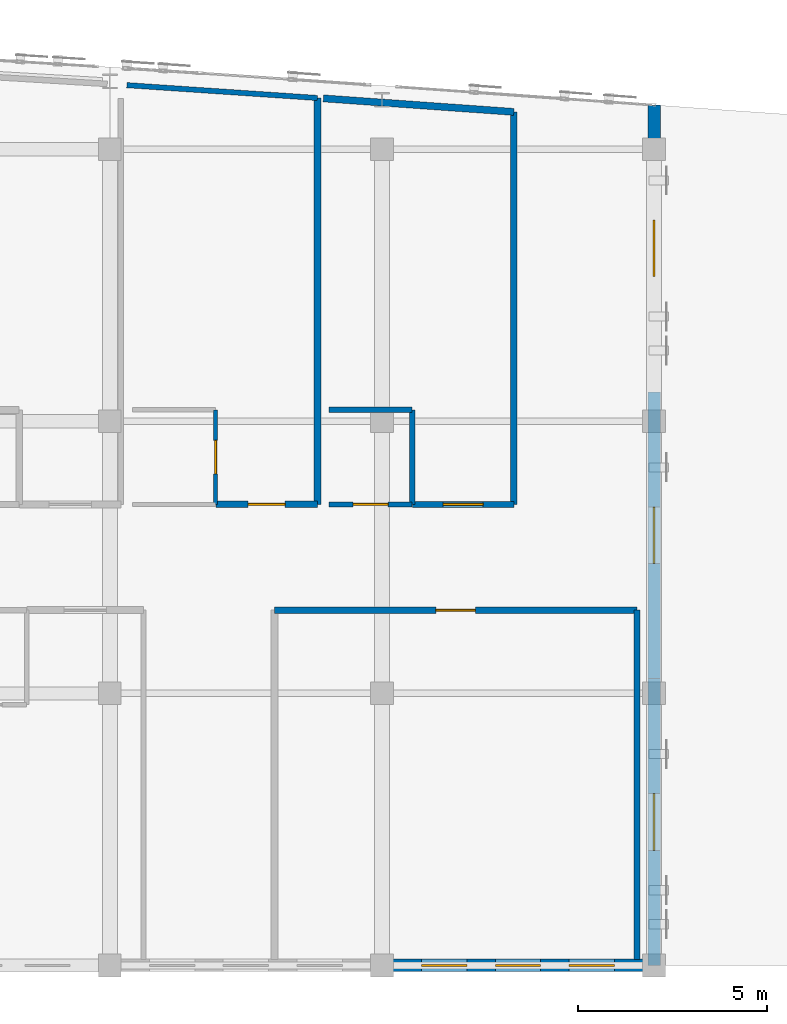
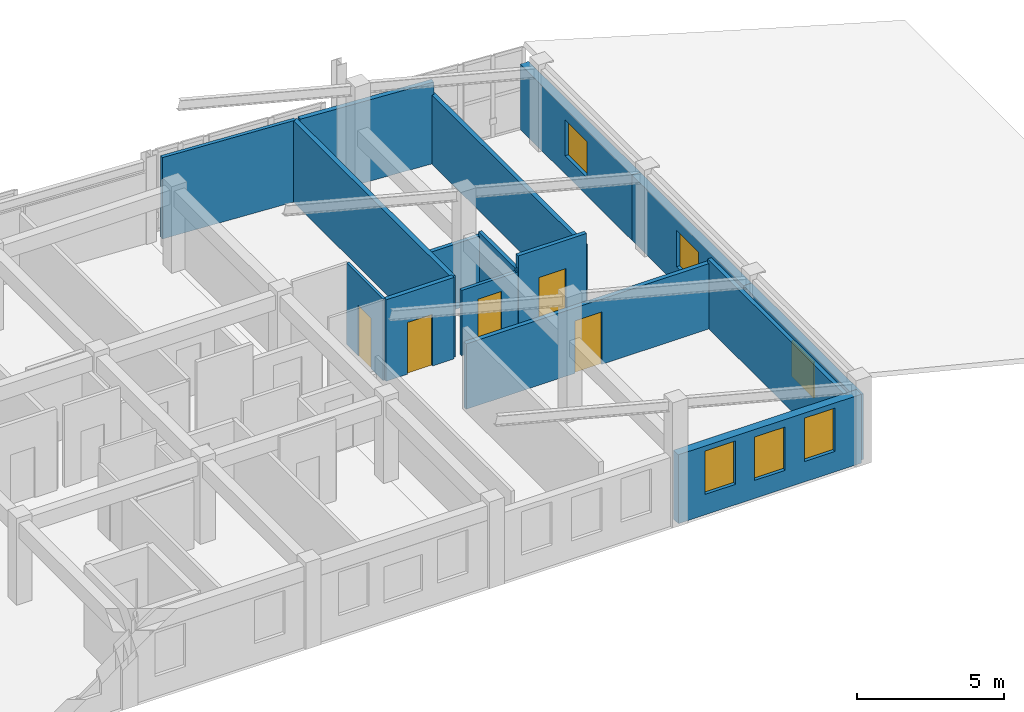
# One storey, part 37 of 41: 16 walls, 6 windows, 5 doors, 11 openings.
"""IFC4 building model written with IfcOpenShell, lengths in metres."""

from ifc_helpers import new_model, si_unit, direction, frame, frame_2d, origin, place, context, subcontext, project, spatial, rectangle, extrude, material, layer, layer_set, type_object, element, fill, save


model = new_model("IFC4")

# Units and contexts
model_context = context("Model", 3, precision=1e-05, world=origin(), true_north=direction((0.0, 1.0)))
body_context = subcontext(model_context, "Body", "Model", "MODEL_VIEW")
ifc_project = project(units=[si_unit("LENGTHUNIT", "METRE"), si_unit("AREAUNIT", "SQUARE_METRE"), si_unit("VOLUMEUNIT", "CUBIC_METRE"), si_unit("PLANEANGLEUNIT", "RADIAN"), si_unit("MASSUNIT", "GRAM", prefix="KILO")], contexts=[model_context])

# Site, building, storey
site_placement = place(None, origin())
site = spatial("IfcSite", under=ifc_project, at=site_placement, CompositionType="ELEMENT")
building_placement = place(site_placement, origin())
building = spatial("IfcBuilding", under=site, at=building_placement, Name="Carrowvane Square Congress Hotel", CompositionType="ELEMENT")
storey_placement = place(building_placement, frame((0.0, 0.0, 37.199951171875)))
storey = spatial("IfcBuildingStorey", under=building, at=storey_placement, Name="L09", CompositionType="ELEMENT", Elevation=37.199951171875)

# Wall, opening, window
ifc_material_1 = material(Name="Glazed terracotta rainscreen", Category="masonry")
ifc_layer_1 = layer(ifc_material_1, 0.330078125)
ifc_layer_set_1 = layer_set([ifc_layer_1], Name="Glazed terracotta rainscreen")
wall_type_1 = type_object("IfcWallType", Name="WL-EXT-TC330", PredefinedType="STANDARD", material=ifc_layer_set_1)
wall_1_placement = place(storey_placement, frame((141.199951171875, 114.5712890625, 0.0), z_axis=(0.0, 0.0, 1.0), x_axis=(0.0, -1.0, 0.0)))
wall_1 = element("IfcWall", 1, at=wall_1_placement, inside=storey, type_object=wall_type_1, Name="L09 exterior facade wall 562", PredefinedType="STANDARD", context=body_context, shape_type="SweptSolid", body=[
    extrude(rectangle(XDim=7.59033203125, YDim=0.330078125, at=frame_2d((3.795166015625, 0.0))), origin(), (0.0, 0.0, 1.0), 2.715087890625),
])
opening_1_placement = place(wall_1_placement, frame((3.045166015625, 0.0, 0.75)))
opening_1 = element("IfcOpeningElement", 2, at=opening_1_placement, cuts=wall_1, Name="Opening W-15", PredefinedType="OPENING", context=body_context, shape_type="SweptSolid", body=[
    extrude(rectangle(XDim=1.5, YDim=1.5, at=frame_2d((0.75, 0.75))), frame((0.0, 0.175048828125, 0.0), z_axis=(0.0, -1.0, 0.0), x_axis=(1.0, 0.0, 0.0)), (0.0, 0.0, 1.0), 0.35009765625),
])
ifc_material_2 = material(Name="Double-glazed low-E glass", Category="glass")
window_type_1 = type_object("IfcWindowType", Name="WIN-15", PartitioningType="SINGLE_PANEL", PredefinedType="WINDOW", material=ifc_material_2)
window_1_placement = place(opening_1_placement, origin())
window_1 = element("IfcWindow", 3, at=window_1_placement, inside=storey, type_object=window_type_1, Name="L09 facade window 408", OverallHeight=1.5, OverallWidth=1.5, PartitioningType="SINGLE_PANEL", PredefinedType="WINDOW", context=body_context, shape_type="SweptSolid", body=[
    extrude(rectangle(XDim=1.5, YDim=1.5, at=frame_2d((0.75, 0.75))), frame((0.0, 0.030029296875, 0.0), z_axis=(0.0, -1.0, 0.0), x_axis=(1.0, 0.0, 0.0)), (0.0, 0.0, 1.0), 0.06005859375),
])
fill(opening_1, window_1)

wall_2_placement = place(storey_placement, frame((141.199951171875, 106.98095703125, 0.0), z_axis=(0.0, 0.0, 1.0), x_axis=(0.0, -1.0, 0.0)))
wall_2 = element("IfcWall", 4, at=wall_2_placement, inside=storey, type_object=wall_type_1, Name="L09 exterior facade wall 563", PredefinedType="STANDARD", context=body_context, shape_type="SweptSolid", body=[
    extrude(rectangle(XDim=7.590576171875, YDim=0.330078125, at=frame_2d((3.79541015625, 0.0))), origin(), (0.0, 0.0, 1.0), 2.715087890625),
])
opening_2_placement = place(wall_2_placement, frame((3.045166015625, 0.0, 0.75)))
opening_2 = element("IfcOpeningElement", 5, at=opening_2_placement, cuts=wall_2, Name="Opening W-15", PredefinedType="OPENING", context=body_context, shape_type="SweptSolid", body=[
    extrude(rectangle(XDim=1.5, YDim=1.5, at=frame_2d((0.75, 0.75))), frame((0.0, 0.175048828125, 0.0), z_axis=(0.0, -1.0, 0.0), x_axis=(1.0, 0.0, 0.0)), (0.0, 0.0, 1.0), 0.35009765625),
])
window_2_placement = place(opening_2_placement, origin())
window_2 = element("IfcWindow", 6, at=window_2_placement, inside=storey, type_object=window_type_1, Name="L09 facade window 409", OverallHeight=1.5, OverallWidth=1.5, PartitioningType="SINGLE_PANEL", PredefinedType="WINDOW", context=body_context, shape_type="SweptSolid", body=[
    extrude(rectangle(XDim=1.5, YDim=1.5, at=frame_2d((0.75, 0.75))), frame((0.0, 0.030029296875, 0.0), z_axis=(0.0, -1.0, 0.0), x_axis=(1.0, 0.0, 0.0)), (0.0, 0.0, 1.0), 0.06005859375),
])
fill(opening_2, window_2)

wall_3_placement = place(storey_placement, frame((141.199951171875, 99.390380859375, 0.0), z_axis=(0.0, 0.0, 1.0), x_axis=(0.0, -1.0, 0.0)))
wall_3 = element("IfcWall", 7, at=wall_3_placement, inside=storey, type_object=wall_type_1, Name="L09 exterior facade wall 564", PredefinedType="STANDARD", context=body_context, shape_type="SweptSolid", body=[
    extrude(rectangle(XDim=7.59033203125, YDim=0.330078125, at=frame_2d((3.795166015625, 0.0))), origin(), (0.0, 0.0, 1.0), 2.715087890625),
])
opening_3_placement = place(wall_3_placement, frame((3.045166015625, 0.0, 0.75)))
opening_3 = element("IfcOpeningElement", 8, at=opening_3_placement, cuts=wall_3, Name="Opening W-15", PredefinedType="OPENING", context=body_context, shape_type="SweptSolid", body=[
    extrude(rectangle(XDim=1.5, YDim=1.5, at=frame_2d((0.75, 0.75))), frame((0.0, 0.175048828125, 0.0), z_axis=(0.0, -1.0, 0.0), x_axis=(1.0, 0.0, 0.0)), (0.0, 0.0, 1.0), 0.35009765625),
])
window_3_placement = place(opening_3_placement, origin())
window_3 = element("IfcWindow", 9, at=window_3_placement, inside=storey, type_object=window_type_1, Name="L09 facade window 410", OverallHeight=1.5, OverallWidth=1.5, PartitioningType="SINGLE_PANEL", PredefinedType="WINDOW", context=body_context, shape_type="SweptSolid", body=[
    extrude(rectangle(XDim=1.5, YDim=1.5, at=frame_2d((0.75, 0.75))), frame((0.0, 0.030029296875, 0.0), z_axis=(0.0, -1.0, 0.0), x_axis=(1.0, 0.0, 0.0)), (0.0, 0.0, 1.0), 0.06005859375),
])
fill(opening_3, window_3)

# Wall, openings, windows
wall_4_placement = place(storey_placement, frame((141.199951171875, 91.800048828125, 0.0), z_axis=(0.0, 0.0, 1.0), x_axis=(-1.0, 0.0, 0.0)))
wall_4 = element("IfcWall", 10, at=wall_4_placement, inside=storey, type_object=wall_type_1, Name="L09 exterior facade wall 565", PredefinedType="STANDARD", context=body_context, shape_type="SweptSolid", body=[
    extrude(rectangle(XDim=7.199951171875, YDim=0.330078125, at=frame_2d((3.60009765625, 0.0))), origin(), (0.0, 0.0, 1.0), 2.8603515625),
])
opening_4_placement = place(wall_4_placement, frame((3.0, 0.0, 0.75)))
opening_4 = element("IfcOpeningElement", 11, at=opening_4_placement, cuts=wall_4, Name="Opening W-01", PredefinedType="OPENING", context=body_context, shape_type="SweptSolid", body=[
    extrude(rectangle(XDim=1.199951171875, YDim=1.800048828125, at=frame_2d((0.60009765625, 0.89990234375))), frame((0.0, 0.175048828125, 0.0), z_axis=(0.0, -1.0, 0.0), x_axis=(1.0, 0.0, 0.0)), (0.0, 0.0, 1.0), 0.35009765625),
])
opening_5_placement = place(wall_4_placement, frame((1.050048828125, 0.0, 0.85009765625)))
opening_5 = element("IfcOpeningElement", 12, at=opening_5_placement, cuts=wall_4, Name="Opening W-01", PredefinedType="OPENING", context=body_context, shape_type="SweptSolid", body=[
    extrude(rectangle(XDim=1.199951171875, YDim=1.800048828125, at=frame_2d((0.60009765625, 0.89990234375))), frame((0.0, 0.175048828125, 0.0), z_axis=(0.0, -1.0, 0.0), x_axis=(1.0, 0.0, 0.0)), (0.0, 0.0, 1.0), 0.35009765625),
])
opening_6_placement = place(wall_4_placement, frame((4.949951171875, 0.0, 0.85009765625)))
opening_6 = element("IfcOpeningElement", 13, at=opening_6_placement, cuts=wall_4, Name="Opening W-01", PredefinedType="OPENING", context=body_context, shape_type="SweptSolid", body=[
    extrude(rectangle(XDim=1.199951171875, YDim=1.800048828125, at=frame_2d((0.60009765625, 0.89990234375))), frame((0.0, 0.175048828125, 0.0), z_axis=(0.0, -1.0, 0.0), x_axis=(1.0, 0.0, 0.0)), (0.0, 0.0, 1.0), 0.35009765625),
])
ifc_material_3 = material(Name="Double-glazed low-E glass", Category="glass")
window_type_2 = type_object("IfcWindowType", Name="WIN-01", PartitioningType="SINGLE_PANEL", PredefinedType="WINDOW", material=ifc_material_3)
window_4_placement = place(opening_4_placement, origin())
window_4 = element("IfcWindow", 14, at=window_4_placement, inside=storey, type_object=window_type_2, Name="L09 facade window 411", OverallHeight=1.800048828125, OverallWidth=1.199951171875, PartitioningType="SINGLE_PANEL", PredefinedType="WINDOW", context=body_context, shape_type="SweptSolid", body=[
    extrude(rectangle(XDim=1.199951171875, YDim=1.800048828125, at=frame_2d((0.60009765625, 0.89990234375))), frame((0.0, 0.030029296875, 0.0), z_axis=(0.0, -1.0, 0.0), x_axis=(1.0, 0.0, 0.0)), (0.0, 0.0, 1.0), 0.06005859375),
])
fill(opening_4, window_4)
window_5_placement = place(opening_5_placement, origin())
window_5 = element("IfcWindow", 15, at=window_5_placement, inside=storey, type_object=window_type_2, Name="L09 guest bedroom window 412", OverallHeight=1.800048828125, OverallWidth=1.199951171875, PartitioningType="SINGLE_PANEL", PredefinedType="WINDOW", context=body_context, shape_type="SweptSolid", body=[
    extrude(rectangle(XDim=1.199951171875, YDim=1.800048828125, at=frame_2d((0.60009765625, 0.89990234375))), frame((0.0, 0.030029296875, 0.0), z_axis=(0.0, -1.0, 0.0), x_axis=(1.0, 0.0, 0.0)), (0.0, 0.0, 1.0), 0.06005859375),
])
fill(opening_5, window_5)
window_6_placement = place(opening_6_placement, origin())
window_6 = element("IfcWindow", 16, at=window_6_placement, inside=storey, type_object=window_type_2, Name="L09 guest bedroom window 413", OverallHeight=1.800048828125, OverallWidth=1.199951171875, PartitioningType="SINGLE_PANEL", PredefinedType="WINDOW", context=body_context, shape_type="SweptSolid", body=[
    extrude(rectangle(XDim=1.199951171875, YDim=1.800048828125, at=frame_2d((0.60009765625, 0.89990234375))), frame((0.0, 0.030029296875, 0.0), z_axis=(0.0, -1.0, 0.0), x_axis=(1.0, 0.0, 0.0)), (0.0, 0.0, 1.0), 0.06005859375),
])
fill(opening_6, window_6)

# Wall
ifc_material_4 = material(Name="Acoustic gypsum board", Category="gypsum")
ifc_layer_2 = layer(ifc_material_4, 0.155029296875)
ifc_layer_set_2 = layer_set([ifc_layer_2], Name="Acoustic gypsum board")
wall_type_2 = type_object("IfcWallType", Name="WL-FIR-155", PredefinedType="PARTITIONING", material=ifc_layer_set_2)
wall_5_placement = place(storey_placement, frame((140.75, 101.199951171875, 0.0), z_axis=(0.0, 0.0, 1.0), x_axis=(0.0, -1.0, 0.0)))
element("IfcWall", 17, at=wall_5_placement, inside=storey, type_object=wall_type_2, Name="L09 L09 East Terrace Bar partition", PredefinedType="PARTITIONING", context=body_context, shape_type="SweptSolid", body=[
    extrude(rectangle(XDim=9.239990234375, YDim=0.155029296875, at=frame_2d((4.6201171875, 0.0))), origin(), (0.0, 0.0, 1.0), 2.8603515625),
])

# Wall, opening, door
wall_6_placement = place(storey_placement, frame((137.489990234375, 104.0, 0.0), z_axis=(0.0, 0.0, 1.0), x_axis=(-1.0, 0.0, 0.0)))
wall_6 = element("IfcWall", 18, at=wall_6_placement, inside=storey, type_object=wall_type_2, Name="L09 Parkview Guest Bedroom 0923 partition", PredefinedType="PARTITIONING", context=body_context, shape_type="SweptSolid", body=[
    extrude(rectangle(XDim=2.679931640625, YDim=0.155029296875, at=frame_2d((1.33984375, 0.0))), origin(), (0.0, 0.0, 1.0), 3.380126953125),
])
opening_7_placement = place(wall_6_placement, frame((0.81005859375, 0.0, 0.0)))
opening_7 = element("IfcOpeningElement", 19, at=opening_7_placement, cuts=wall_6, Name="Opening FD-09", PredefinedType="OPENING", context=body_context, shape_type="SweptSolid", body=[
    extrude(rectangle(XDim=1.06005859375, YDim=2.199951171875, at=frame_2d((0.530029296875, 1.10009765625))), frame((0.0, 0.08740234375, 0.0), z_axis=(0.0, -1.0, 0.0), x_axis=(1.0, 0.0, 0.0)), (0.0, 0.0, 1.0), 0.175048828125),
])
ifc_material_5 = material(Name="European oak timber", Category="wood")
door_type_1 = type_object("IfcDoorType", Name="DR-FD30-1060x2200", OperationType="NOTDEFINED", PredefinedType="DOOR", material=ifc_material_5)
door_1_placement = place(opening_7_placement, origin())
door_1 = element("IfcDoor", 20, at=door_1_placement, inside=storey, type_object=door_type_1, Name="L09 Parkview Guest Bedroom 0923 entrance door", OperationType="SINGLE_SWING_RIGHT", OverallHeight=2.199951171875, OverallWidth=1.06005859375, PredefinedType="DOOR", context=body_context, shape_type="SweptSolid", body=[
    extrude(rectangle(XDim=1.06005859375, YDim=2.199951171875, at=frame_2d((0.530029296875, 1.10009765625))), frame((0.0, 0.02490234375, 0.0), z_axis=(0.0, -1.0, 0.0), x_axis=(1.0, 0.0, 0.0)), (0.0, 0.0, 1.0), 0.050048828125),
])
fill(opening_7, door_1)

ifc_material_6 = material(Name="Acoustic gypsum board", Category="gypsum")
ifc_layer_3 = layer(ifc_material_6, 0.169921875)
ifc_layer_set_3 = layer_set([ifc_layer_3], Name="Acoustic gypsum board")
wall_type_3 = type_object("IfcWallType", Name="WL-FIR-170", PredefinedType="PARTITIONING", material=ifc_layer_set_3)
wall_7_placement = place(storey_placement, frame((131.14990234375, 101.199951171875, 0.0), z_axis=(0.0, 0.0, 1.0), x_axis=(1.0, 0.0, 0.0)))
wall_7 = element("IfcWall", 21, at=wall_7_placement, inside=storey, type_object=wall_type_3, Name="L09 L09 East Terrace Bar partition", PredefinedType="PARTITIONING", context=body_context, shape_type="SweptSolid", body=[
    extrude(rectangle(XDim=9.60009765625, YDim=0.169921875, at=frame_2d((4.800048828125, 0.0))), origin(), (0.0, 0.0, 1.0), 2.715087890625),
])
opening_8_placement = place(wall_7_placement, frame((4.27490234375, 0.0, 0.0)))
opening_8 = element("IfcOpeningElement", 22, at=opening_8_placement, cuts=wall_7, Name="Opening ID-21", PredefinedType="OPENING", context=body_context, shape_type="SweptSolid", body=[
    extrude(rectangle(XDim=1.050048828125, YDim=2.179931640625, at=frame_2d((0.52490234375, 1.08984375))), frame((0.0, 0.094970703125, 0.0), z_axis=(0.0, -1.0, 0.0), x_axis=(1.0, 0.0, 0.0)), (0.0, 0.0, 1.0), 0.18994140625),
])
ifc_material_7 = material(Name="European oak timber", Category="wood")
door_type_2 = type_object("IfcDoorType", Name="DR-INT-1050x2180", OperationType="NOTDEFINED", PredefinedType="DOOR", material=ifc_material_7)
door_2_placement = place(opening_8_placement, origin())
door_2 = element("IfcDoor", 23, at=door_2_placement, inside=storey, type_object=door_type_2, Name="L09 L09 East Terrace Bar entrance door", OperationType="SINGLE_SWING_RIGHT", OverallHeight=2.179931640625, OverallWidth=1.050048828125, PredefinedType="DOOR", context=body_context, shape_type="SweptSolid", body=[
    extrude(rectangle(XDim=1.050048828125, YDim=2.179931640625, at=frame_2d((0.52490234375, 1.08984375))), frame((0.0, 0.02490234375, 0.0), z_axis=(0.0, -1.0, 0.0), x_axis=(1.0, 0.0, 0.0)), (0.0, 0.0, 1.0), 0.050048828125),
])
fill(opening_8, door_2)

wall_8_placement = place(storey_placement, frame((132.2900390625, 104.0, 0.0), z_axis=(0.0, 0.0, 1.0), x_axis=(-1.0, 0.0, 0.0)))
wall_8 = element("IfcWall", 24, at=wall_8_placement, inside=storey, type_object=wall_type_3, Name="L09 Parkview Guest Bedroom 0922 partition", PredefinedType="PARTITIONING", context=body_context, shape_type="SweptSolid", body=[
    extrude(rectangle(XDim=2.679931640625, YDim=0.169921875, at=frame_2d((1.33984375, 0.0))), origin(), (0.0, 0.0, 1.0), 3.380126953125),
])
opening_9_placement = place(wall_8_placement, frame((0.85009765625, 0.0, 0.0)))
opening_9 = element("IfcOpeningElement", 25, at=opening_9_placement, cuts=wall_8, Name="Opening FD-07", PredefinedType="OPENING", context=body_context, shape_type="SweptSolid", body=[
    extrude(rectangle(XDim=0.97998046875, YDim=2.14990234375, at=frame_2d((0.489990234375, 1.074951171875))), frame((0.0, 0.094970703125, 0.0), z_axis=(0.0, -1.0, 0.0), x_axis=(1.0, 0.0, 0.0)), (0.0, 0.0, 1.0), 0.18994140625),
])
ifc_material_8 = material(Name="European oak timber", Category="wood")
door_type_3 = type_object("IfcDoorType", Name="DR-FD30-0980x2150", OperationType="NOTDEFINED", PredefinedType="DOOR", material=ifc_material_8)
door_3_placement = place(opening_9_placement, origin())
door_3 = element("IfcDoor", 26, at=door_3_placement, inside=storey, type_object=door_type_3, Name="L09 Parkview Guest Bedroom 0922 entrance door", OperationType="SINGLE_SWING_RIGHT", OverallHeight=2.14990234375, OverallWidth=0.97998046875, PredefinedType="DOOR", context=body_context, shape_type="SweptSolid", body=[
    extrude(rectangle(XDim=0.97998046875, YDim=2.14990234375, at=frame_2d((0.489990234375, 1.074951171875))), frame((0.0, 0.02490234375, 0.0), z_axis=(0.0, -1.0, 0.0), x_axis=(1.0, 0.0, 0.0)), (0.0, 0.0, 1.0), 0.050048828125),
])
fill(opening_9, door_3)

# Walls
wall_9_placement = place(storey_placement, frame((137.489990234375, 114.386962890625, 0.0), z_axis=(0.0, 0.0, 1.0), x_axis=(0.0, -1.0, 0.0)))
element("IfcWall", 27, at=wall_9_placement, inside=storey, type_object=wall_type_3, Name="L09 Parkview Guest Bedroom 0923 partition", PredefinedType="PARTITIONING", context=body_context, shape_type="SweptSolid", body=[
    extrude(rectangle(XDim=10.386962890625, YDim=0.169921875, at=frame_2d((5.193359375, 0.0))), origin(), (0.0, 0.0, 1.0), 2.8603515625),
])
ifc_material_9 = material(Name="Acoustic gypsum board", Category="gypsum")
ifc_layer_4 = layer(ifc_material_9, 0.18505859375)
ifc_layer_set_4 = layer_set([ifc_layer_4], Name="Acoustic gypsum board")
wall_type_4 = type_object("IfcWallType", Name="WL-FIR-185", PredefinedType="PARTITIONING", material=ifc_layer_set_4)
wall_10_placement = place(storey_placement, frame((132.2900390625, 114.75537109375, 0.0), z_axis=(0.0, 0.0, 1.0), x_axis=(0.0, -1.0, 0.0)))
element("IfcWall", 28, at=wall_10_placement, inside=storey, type_object=wall_type_4, Name="L09 Parkview Guest Bedroom 0922 partition", PredefinedType="PARTITIONING", context=body_context, shape_type="SweptSolid", body=[
    extrude(rectangle(XDim=10.75537109375, YDim=0.18505859375, at=frame_2d((5.377685546875, 0.0))), origin(), (0.0, 0.0, 1.0), 3.380126953125),
])
wall_11_placement = place(storey_placement, frame((132.449951171875, 114.744384765625, 0.0), z_axis=(0.0, 0.0, 1.0), x_axis=(0.99749487084, -0.070738834088, 0.0)))
element("IfcWall", 29, at=wall_11_placement, inside=storey, type_object=wall_type_4, Name="L09 Parkview Guest Bedroom 0923 partition", PredefinedType="PARTITIONING", context=body_context, shape_type="SweptSolid", body=[
    extrude(rectangle(XDim=5.052734375, YDim=0.18505859375, at=frame_2d((2.5263671875, 0.0))), origin(), (0.0, 0.0, 1.0), 3.380126953125),
])

# Wall, opening, door
ifc_material_10 = material(Name="Acoustic gypsum board", Category="gypsum")
ifc_layer_5 = layer(ifc_material_10, 0.10791015625)
ifc_layer_set_5 = layer_set([ifc_layer_5], Name="Acoustic gypsum board")
wall_type_5 = type_object("IfcWallType", Name="WL-PRT-108", PredefinedType="PARTITIONING", material=ifc_layer_set_5)
wall_12_placement = place(storey_placement, frame((129.60009765625, 106.5, 0.0), z_axis=(0.0, 0.0, 1.0), x_axis=(0.0, -1.0, 0.0)))
wall_12 = element("IfcWall", 30, at=wall_12_placement, inside=storey, type_object=wall_type_5, Name="L09 En-suite Bathroom 0922 partition", PredefinedType="PARTITIONING", context=body_context, shape_type="SweptSolid", body=[
    extrude(rectangle(XDim=2.5, YDim=0.10791015625, at=frame_2d((1.25, 0.0))), origin(), (0.0, 0.0, 1.0), 3.380126953125),
])
opening_10_placement = place(wall_12_placement, frame((0.804931640625, 0.0, 0.0)))
opening_10 = element("IfcOpeningElement", 31, at=opening_10_placement, cuts=wall_12, Name="Opening ID-16", PredefinedType="OPENING", context=body_context, shape_type="SweptSolid", body=[
    extrude(rectangle(XDim=0.889892578125, YDim=2.090087890625, at=frame_2d((0.44482421875, 1.044921875))), frame((0.0, 0.06396484375, 0.0), z_axis=(0.0, -1.0, 0.0), x_axis=(1.0, 0.0, 0.0)), (0.0, 0.0, 1.0), 0.1279296875),
])
ifc_material_11 = material(Name="European oak timber", Category="wood")
door_type_4 = type_object("IfcDoorType", Name="DR-INT-0890x2090", OperationType="NOTDEFINED", PredefinedType="DOOR", material=ifc_material_11)
door_4_placement = place(opening_10_placement, origin())
door_4 = element("IfcDoor", 32, at=door_4_placement, inside=storey, type_object=door_type_4, Name="L09 En-suite Bathroom 0922 door", OperationType="SINGLE_SWING_LEFT", OverallHeight=2.090087890625, OverallWidth=0.889892578125, PredefinedType="DOOR", context=body_context, shape_type="SweptSolid", body=[
    extrude(rectangle(XDim=0.889892578125, YDim=2.090087890625, at=frame_2d((0.44482421875, 1.044921875))), frame((0.0, 0.02490234375, 0.0), z_axis=(0.0, -1.0, 0.0), x_axis=(1.0, 0.0, 0.0)), (0.0, 0.0, 1.0), 0.050048828125),
])
fill(opening_10, door_4)

ifc_material_12 = material(Name="Acoustic gypsum board", Category="gypsum")
ifc_layer_6 = layer(ifc_material_12, 0.1279296875)
ifc_layer_set_6 = layer_set([ifc_layer_6], Name="Acoustic gypsum board")
wall_type_6 = type_object("IfcWallType", Name="WL-PRT-128", PredefinedType="PARTITIONING", material=ifc_layer_set_6)
wall_13_placement = place(storey_placement, frame((134.800048828125, 104.0, 0.0), z_axis=(0.0, 0.0, 1.0), x_axis=(-1.0, 0.0, 0.0)))
wall_13 = element("IfcWall", 33, at=wall_13_placement, inside=storey, type_object=wall_type_6, Name="L09 En-suite Bathroom 0923 partition", PredefinedType="PARTITIONING", context=body_context, shape_type="SweptSolid", body=[
    extrude(rectangle(XDim=2.199951171875, YDim=0.1279296875, at=frame_2d((1.10009765625, 0.0))), origin(), (0.0, 0.0, 1.0), 2.715087890625),
])
opening_11_placement = place(wall_13_placement, frame((0.635009765625, 0.0, 0.0)))
opening_11 = element("IfcOpeningElement", 34, at=opening_11_placement, cuts=wall_13, Name="Opening ID-18", PredefinedType="OPENING", context=body_context, shape_type="SweptSolid", body=[
    extrude(rectangle(XDim=0.929931640625, YDim=2.1298828125, at=frame_2d((0.46484375, 1.06494140625))), frame((0.0, 0.073974609375, 0.0), z_axis=(0.0, -1.0, 0.0), x_axis=(1.0, 0.0, 0.0)), (0.0, 0.0, 1.0), 0.14794921875),
])
ifc_material_13 = material(Name="European oak timber", Category="wood")
door_type_5 = type_object("IfcDoorType", Name="DR-INT-0930x2130", OperationType="NOTDEFINED", PredefinedType="DOOR", material=ifc_material_13)
door_5_placement = place(opening_11_placement, origin())
door_5 = element("IfcDoor", 35, at=door_5_placement, inside=storey, type_object=door_type_5, Name="L09 En-suite Bathroom 0923 door", OperationType="SINGLE_SWING_LEFT", OverallHeight=2.1298828125, OverallWidth=0.929931640625, PredefinedType="DOOR", context=body_context, shape_type="SweptSolid", body=[
    extrude(rectangle(XDim=0.929931640625, YDim=2.1298828125, at=frame_2d((0.46484375, 1.06494140625))), frame((0.0, 0.02490234375, 0.0), z_axis=(0.0, -1.0, 0.0), x_axis=(1.0, 0.0, 0.0)), (0.0, 0.0, 1.0), 0.050048828125),
])
fill(opening_11, door_5)

# Walls
ifc_material_14 = material(Name="Acoustic gypsum board", Category="gypsum")
ifc_layer_7 = layer(ifc_material_14, 0.137939453125)
ifc_layer_set_7 = layer_set([ifc_layer_7], Name="Acoustic gypsum board")
wall_type_7 = type_object("IfcWallType", Name="WL-PRT-138", PredefinedType="PARTITIONING", material=ifc_layer_set_7)
wall_14_placement = place(storey_placement, frame((127.25, 115.0947265625, 0.0), z_axis=(0.0, 0.0, 1.0), x_axis=(0.997740885308, -0.067179801908, 0.0)))
element("IfcWall", 36, at=wall_14_placement, inside=storey, type_object=wall_type_7, Name="L09 Parkview Guest Bedroom 0922 partition", PredefinedType="PARTITIONING", context=body_context, shape_type="SweptSolid", body=[
    extrude(rectangle(XDim=5.051513671875, YDim=0.137939453125, at=frame_2d((2.52587890625, 0.0))), origin(), (0.0, 0.0, 1.0), 3.380126953125),
])
wall_15_placement = place(storey_placement, frame((134.800048828125, 106.5, 0.0), z_axis=(0.0, 0.0, 1.0), x_axis=(0.0, -1.0, 0.0)))
element("IfcWall", 37, at=wall_15_placement, inside=storey, type_object=wall_type_7, Name="L09 En-suite Bathroom 0923 partition", PredefinedType="PARTITIONING", context=body_context, shape_type="SweptSolid", body=[
    extrude(rectangle(XDim=2.5, YDim=0.137939453125, at=frame_2d((1.25, 0.0))), origin(), (0.0, 0.0, 1.0), 2.8603515625),
])
ifc_material_15 = material(Name="Acoustic gypsum board", Category="gypsum")
ifc_layer_8 = layer(ifc_material_15, 0.14794921875)
ifc_layer_set_8 = layer_set([ifc_layer_8], Name="Acoustic gypsum board")
wall_type_8 = type_object("IfcWallType", Name="WL-PRT-148", PredefinedType="PARTITIONING", material=ifc_layer_set_8)
wall_16_placement = place(storey_placement, frame((132.60009765625, 106.5, 0.0), z_axis=(0.0, 0.0, 1.0), x_axis=(1.0, 0.0, 0.0)))
element("IfcWall", 38, at=wall_16_placement, inside=storey, type_object=wall_type_8, Name="L09 En-suite Bathroom 0923 partition", PredefinedType="PARTITIONING", context=body_context, shape_type="SweptSolid", body=[
    extrude(rectangle(XDim=2.199951171875, YDim=0.14794921875, at=frame_2d((1.10009765625, 0.0))), origin(), (0.0, 0.0, 1.0), 2.715087890625),
])

save(model, "model.ifc")
